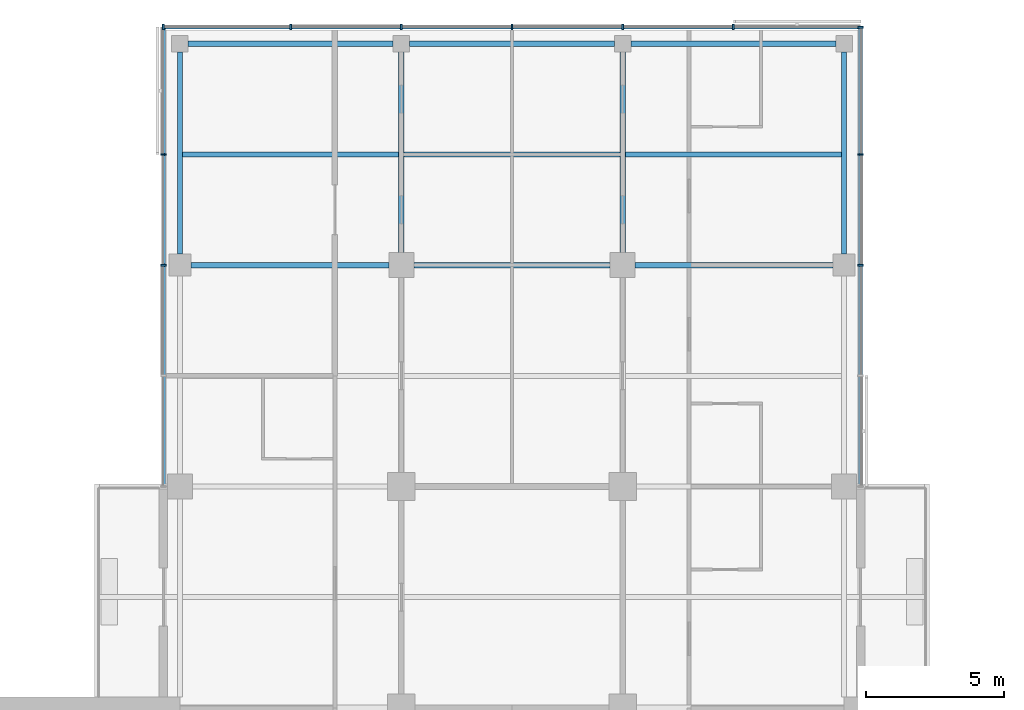
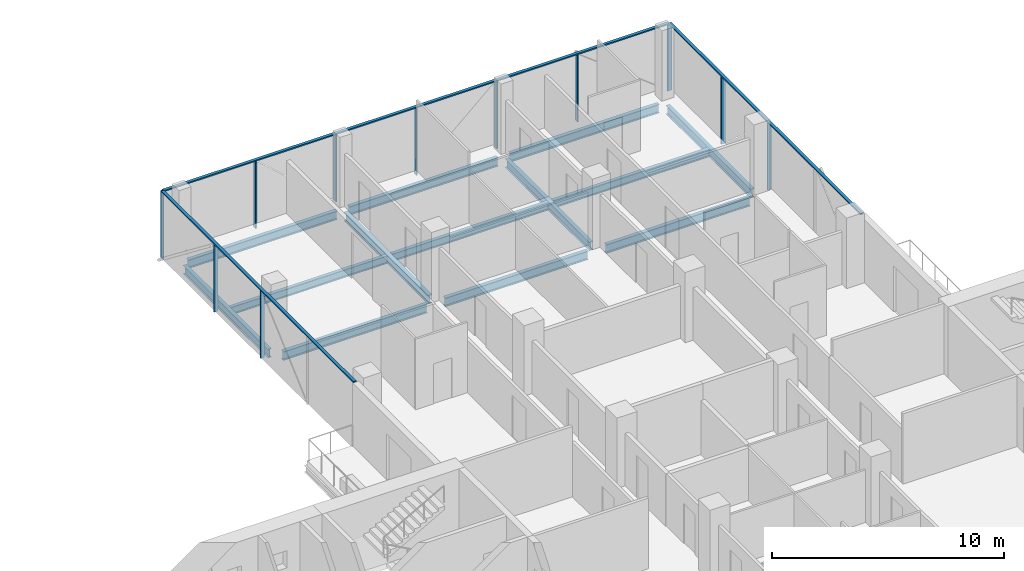
# One storey, part 12 of 27: 14 members, 13 beams, 3 elements without a shape of their own.
"""IFC4 building model written with IfcOpenShell, lengths in metres."""

from ifc_helpers import new_model, si_unit, direction, frame, origin, origin_2d, place, context, subcontext, project, spatial, rectangle, i_section, extrude, material, material_profile, profile_set, type_object, element, aggregate, save


model = new_model("IFC4")

# Units and contexts
model_context = context("Model", 3, precision=1e-05, world=origin(), true_north=direction((0.0, 1.0)))
body_context = subcontext(model_context, "Body", "Model", "MODEL_VIEW")
ifc_project = project(units=[si_unit("LENGTHUNIT", "METRE"), si_unit("AREAUNIT", "SQUARE_METRE"), si_unit("VOLUMEUNIT", "CUBIC_METRE"), si_unit("PLANEANGLEUNIT", "RADIAN"), si_unit("MASSUNIT", "GRAM", prefix="KILO")], contexts=[model_context])

# Site, building, storey
site_placement = place(None, origin())
site = spatial("IfcSite", under=ifc_project, at=site_placement, CompositionType="ELEMENT")
building_placement = place(site_placement, origin())
building = spatial("IfcBuilding", under=site, at=building_placement, Name="Crosswind Convention Tower", CompositionType="ELEMENT")
storey_placement = place(building_placement, frame((0.0, 0.0, 101.60009765625)))
storey = spatial("IfcBuildingStorey", under=building, at=storey_placement, Name="L20", CompositionType="ELEMENT", Elevation=101.60009765625)

# Beams
ifc_material_1 = material(Name="Steel S355", Category="steel")
ifc_material_profile_1 = material_profile(ifc_material_1, i_section(OverallWidth=0.1904296875, OverallDepth=0.457275390625, WebThickness=0.009033203125, FlangeThickness=0.014404296875, FilletRadius=0.01025390625, at=origin_2d()), Name="UB 457x191x75")
ifc_profile_set_1 = profile_set([ifc_material_profile_1], Name="Steel S355")
beam_type_1 = type_object("IfcBeamType", Name="Edge beam UB 457x191x75", PredefinedType="SPANDREL", material=ifc_profile_set_1)
beam_1_placement = place(storey_placement, frame((113.0, 128.39990234375, -0.5087890625), z_axis=(0.0, 1.0, 0.0), x_axis=(-1.0, 0.0, 0.0)))
element("IfcBeam", 1, at=beam_1_placement, inside=storey, type_object=beam_type_1, Name="B17 L20 edge beam 11", PredefinedType="SPANDREL", context=body_context, shape_type="SweptSolid", body=[
    extrude(i_section(OverallWidth=0.1904296875, OverallDepth=0.457275390625, WebThickness=0.009033203125, FlangeThickness=0.014404296875, FilletRadius=0.01025390625, at=origin_2d()), origin(), (0.0, 0.0, 1.0), 7.300048828125),
])
for number, where, z_axis, x_axis, name in (
    (2, (113.300048828125, 136.0, -0.5087890625), (1.0, 0.0, 0.0), (0.0, 1.0, 0.0), "B17 L20 edge beam 13"),
    (3, (121.300048828125, 136.0, -0.5087890625), (1.0, 0.0, 0.0), (0.0, 1.0, 0.0), "B17 L20 edge beam 15"),
    (4, (129.300048828125, 136.0, -0.5087890625), (1.0, 0.0, 0.0), (0.0, 1.0, 0.0), "B17 L20 edge beam 17"),
):
    element("IfcBeam", number, at=place(storey_placement, frame(where, z_axis=z_axis, x_axis=x_axis)), inside=storey, type_object=beam_type_1, Name=name, PredefinedType="SPANDREL", context=body_context, shape_type="SweptSolid", body=[
        extrude(i_section(OverallWidth=0.1904296875, OverallDepth=0.457275390625, WebThickness=0.009033203125, FlangeThickness=0.014404296875, FilletRadius=0.01025390625, at=origin_2d()), origin(), (0.0, 0.0, 1.0), 7.39990234375),
    ])
beam_2_placement = place(storey_placement, frame((137.0, 128.39990234375, -0.5087890625), z_axis=(0.0, 1.0, 0.0), x_axis=(-1.0, 0.0, 0.0)))
element("IfcBeam", 5, at=beam_2_placement, inside=storey, type_object=beam_type_1, Name="B17 L20 edge beam 23", PredefinedType="SPANDREL", context=body_context, shape_type="SweptSolid", body=[
    extrude(i_section(OverallWidth=0.1904296875, OverallDepth=0.457275390625, WebThickness=0.009033203125, FlangeThickness=0.014404296875, FilletRadius=0.01025390625, at=origin_2d()), origin(), (0.0, 0.0, 1.0), 7.300048828125),
])
ifc_material_profile_2 = material_profile(ifc_material_1, i_section(OverallWidth=0.19140625, OverallDepth=0.460205078125, WebThickness=0.010009765625, FlangeThickness=0.01611328125, FilletRadius=0.01025390625, at=origin_2d()), Name="UB 457x191x82")
ifc_profile_set_2 = profile_set([ifc_material_profile_2], Name="Steel S355")
beam_type_2 = type_object("IfcBeamType", Name="Girder UB 457x191x82", PredefinedType="BEAM", material=ifc_profile_set_2)
beam_3_placement = place(storey_placement, frame((113.39990234375, 128.0, -0.51025390625), z_axis=(1.0, 0.0, 0.0), x_axis=(0.0, 1.0, 0.0)))
element("IfcBeam", 6, at=beam_3_placement, inside=storey, type_object=beam_type_2, Name="B3 L20 girder 2", PredefinedType="BEAM", context=body_context, shape_type="SweptSolid", body=[
    extrude(i_section(OverallWidth=0.19140625, OverallDepth=0.460205078125, WebThickness=0.010009765625, FlangeThickness=0.01611328125, FilletRadius=0.01025390625, at=origin_2d()), origin(), (0.0, 0.0, 1.0), 7.150146484375),
])
beam_4_placement = place(storey_placement, frame((121.0, 128.449951171875, -0.51025390625), z_axis=(0.0, 1.0, 0.0), x_axis=(-1.0, 0.0, 0.0)))
element("IfcBeam", 7, at=beam_4_placement, inside=storey, type_object=beam_type_2, Name="B3 L20 girder 13", PredefinedType="BEAM", context=body_context, shape_type="SweptSolid", body=[
    extrude(i_section(OverallWidth=0.19140625, OverallDepth=0.460205078125, WebThickness=0.010009765625, FlangeThickness=0.01611328125, FilletRadius=0.01025390625, at=origin_2d()), origin(), (0.0, 0.0, 1.0), 7.25),
])
beam_5_placement = place(storey_placement, frame((121.449951171875, 128.0, -0.51025390625), z_axis=(1.0, 0.0, 0.0), x_axis=(0.0, 1.0, 0.0)))
element("IfcBeam", 8, at=beam_5_placement, inside=storey, type_object=beam_type_2, Name="B3 L20 girder 15", PredefinedType="BEAM", context=body_context, shape_type="SweptSolid", body=[
    extrude(i_section(OverallWidth=0.19140625, OverallDepth=0.460205078125, WebThickness=0.010009765625, FlangeThickness=0.01611328125, FilletRadius=0.01025390625, at=origin_2d()), origin(), (0.0, 0.0, 1.0), 7.10009765625),
])
beam_6_placement = place(storey_placement, frame((129.0, 128.449951171875, -0.51025390625), z_axis=(0.0, 1.0, 0.0), x_axis=(-1.0, 0.0, 0.0)))
element("IfcBeam", 9, at=beam_6_placement, inside=storey, type_object=beam_type_2, Name="B3 L20 girder 30", PredefinedType="BEAM", context=body_context, shape_type="SweptSolid", body=[
    extrude(i_section(OverallWidth=0.19140625, OverallDepth=0.460205078125, WebThickness=0.010009765625, FlangeThickness=0.01611328125, FilletRadius=0.01025390625, at=origin_2d()), origin(), (0.0, 0.0, 1.0), 7.25),
])
beam_7_placement = place(storey_placement, frame((129.449951171875, 128.0, -0.51025390625), z_axis=(1.0, 0.0, 0.0), x_axis=(0.0, 1.0, 0.0)))
element("IfcBeam", 10, at=beam_7_placement, inside=storey, type_object=beam_type_2, Name="B3 L20 girder 32", PredefinedType="BEAM", context=body_context, shape_type="SweptSolid", body=[
    extrude(i_section(OverallWidth=0.19140625, OverallDepth=0.460205078125, WebThickness=0.010009765625, FlangeThickness=0.01611328125, FilletRadius=0.01025390625, at=origin_2d()), origin(), (0.0, 0.0, 1.0), 7.150146484375),
])

# Curtain wall, members
ifc_material_2 = material(Name="Aluminium unitised curtain wall", Category="aluminium")
curtain_wall_type = type_object("IfcCurtainWallType", Name="HOTEL UNITISED WALL 200", PredefinedType="USERDEFINED", material=ifc_material_2)
curtain_wall_1_placement = place(storey_placement, origin())
curtain_wall_1 = element("IfcCurtainWall", 11, at=curtain_wall_1_placement, inside=storey, type_object=curtain_wall_type, Name="CW2 L20 N-E 1", ObjectType="UNITISED", PredefinedType="USERDEFINED")
ifc_material_3 = material(Name="Aluminium mullion", Category="aluminium")
ifc_material_profile_3 = material_profile(ifc_material_3, rectangle(XDim=0.199951171875, YDim=0.06494140625, at=origin_2d()), Name="AL 200X65")
ifc_profile_set_3 = profile_set([ifc_material_profile_3], Name="Aluminium mullion")
member_type_1 = type_object("IfcMemberType", Name="MULLION 65X200", PredefinedType="MULLION", material=ifc_profile_set_3)
member_1_placement = place(storey_placement, frame((137.60009765625, 128.0, -0.280029296875), z_axis=(0.0, 0.0, 1.0), x_axis=(1.0, 0.0, 0.0)))
member_1 = element("IfcMember", 12, at=member_1_placement, type_object=member_type_1, Name="CW2 mullion 3", PredefinedType="MULLION", context=body_context, shape_type="SweptSolid", body=[
    extrude(rectangle(XDim=0.199951171875, YDim=0.06494140625, at=origin_2d()), origin(), (0.0, 0.0, 1.0), 3.514892578125),
])
member_2_placement = place(storey_placement, frame((137.60009765625, 132.0, -0.280029296875), z_axis=(0.0, 0.0, 1.0), x_axis=(1.0, 0.0, 0.0)))
member_2 = element("IfcMember", 13, at=member_2_placement, type_object=member_type_1, Name="CW2 mullion 4", PredefinedType="MULLION", context=body_context, shape_type="SweptSolid", body=[
    extrude(rectangle(XDim=0.199951171875, YDim=0.06494140625, at=origin_2d()), origin(), (0.0, 0.0, 1.0), 3.514892578125),
])
member_3_placement = place(storey_placement, frame((137.60009765625, 136.60009765625, -0.280029296875), z_axis=(0.0, 0.0, 1.0), x_axis=(1.0, 0.0, 0.0)))
member_3 = element("IfcMember", 14, at=member_3_placement, type_object=member_type_1, Name="CW2 mullion 5", PredefinedType="MULLION", context=body_context, shape_type="SweptSolid", body=[
    extrude(rectangle(XDim=0.199951171875, YDim=0.06494140625, at=origin_2d()), origin(), (0.0, 0.0, 1.0), 3.514892578125),
])

curtain_wall_2_placement = place(storey_placement, origin())
curtain_wall_2 = element("IfcCurtainWall", 15, at=curtain_wall_2_placement, inside=storey, type_object=curtain_wall_type, Name="CW2 L20 N-TIP 1", ObjectType="UNITISED", PredefinedType="USERDEFINED")
member_4_placement = place(storey_placement, frame((133.0, 136.60009765625, -0.280029296875), z_axis=(0.0, 0.0, 1.0), x_axis=(0.0, 1.0, 0.0)))
member_4 = element("IfcMember", 16, at=member_4_placement, type_object=member_type_1, Name="CW2 mullion 2", PredefinedType="MULLION", context=body_context, shape_type="SweptSolid", body=[
    extrude(rectangle(XDim=0.199951171875, YDim=0.06494140625, at=origin_2d()), origin(), (0.0, 0.0, 1.0), 3.514892578125),
])
member_5_placement = place(storey_placement, frame((129.0, 136.60009765625, -0.280029296875), z_axis=(0.0, 0.0, 1.0), x_axis=(0.0, 1.0, 0.0)))
member_5 = element("IfcMember", 17, at=member_5_placement, type_object=member_type_1, Name="CW2 mullion 3", PredefinedType="MULLION", context=body_context, shape_type="SweptSolid", body=[
    extrude(rectangle(XDim=0.199951171875, YDim=0.06494140625, at=origin_2d()), origin(), (0.0, 0.0, 1.0), 3.514892578125),
])
member_6_placement = place(storey_placement, frame((125.0, 136.60009765625, -0.280029296875), z_axis=(0.0, 0.0, 1.0), x_axis=(0.0, 1.0, 0.0)))
member_6 = element("IfcMember", 18, at=member_6_placement, type_object=member_type_1, Name="CW2 mullion 4", PredefinedType="MULLION", context=body_context, shape_type="SweptSolid", body=[
    extrude(rectangle(XDim=0.199951171875, YDim=0.06494140625, at=origin_2d()), origin(), (0.0, 0.0, 1.0), 3.514892578125),
])
member_7_placement = place(storey_placement, frame((121.0, 136.60009765625, -0.280029296875), z_axis=(0.0, 0.0, 1.0), x_axis=(0.0, 1.0, 0.0)))
member_7 = element("IfcMember", 19, at=member_7_placement, type_object=member_type_1, Name="CW2 mullion 5", PredefinedType="MULLION", context=body_context, shape_type="SweptSolid", body=[
    extrude(rectangle(XDim=0.199951171875, YDim=0.06494140625, at=origin_2d()), origin(), (0.0, 0.0, 1.0), 3.514892578125),
])
member_8_placement = place(storey_placement, frame((117.0, 136.60009765625, -0.280029296875), z_axis=(0.0, 0.0, 1.0), x_axis=(0.0, 1.0, 0.0)))
member_8 = element("IfcMember", 20, at=member_8_placement, type_object=member_type_1, Name="CW2 mullion 6", PredefinedType="MULLION", context=body_context, shape_type="SweptSolid", body=[
    extrude(rectangle(XDim=0.199951171875, YDim=0.06494140625, at=origin_2d()), origin(), (0.0, 0.0, 1.0), 3.514892578125),
])
member_9_placement = place(storey_placement, frame((112.39990234375, 136.60009765625, -0.280029296875), z_axis=(0.0, 0.0, 1.0), x_axis=(0.0, 1.0, 0.0)))
member_9 = element("IfcMember", 21, at=member_9_placement, type_object=member_type_1, Name="CW2 mullion 7", PredefinedType="MULLION", context=body_context, shape_type="SweptSolid", body=[
    extrude(rectangle(XDim=0.199951171875, YDim=0.06494140625, at=origin_2d()), origin(), (0.0, 0.0, 1.0), 3.514892578125),
])

curtain_wall_3_placement = place(storey_placement, origin())
curtain_wall_3 = element("IfcCurtainWall", 22, at=curtain_wall_3_placement, inside=storey, type_object=curtain_wall_type, Name="CW2 L20 N-W 1", ObjectType="UNITISED", PredefinedType="USERDEFINED")
member_10_placement = place(storey_placement, frame((112.39990234375, 132.0, -0.280029296875), z_axis=(0.0, 0.0, 1.0), x_axis=(-1.0, 0.0, 0.0)))
member_10 = element("IfcMember", 23, at=member_10_placement, type_object=member_type_1, Name="CW2 mullion 2", PredefinedType="MULLION", context=body_context, shape_type="SweptSolid", body=[
    extrude(rectangle(XDim=0.199951171875, YDim=0.06494140625, at=origin_2d()), origin(), (0.0, 0.0, 1.0), 3.514892578125),
])
member_11_placement = place(storey_placement, frame((112.39990234375, 128.0, -0.280029296875), z_axis=(0.0, 0.0, 1.0), x_axis=(-1.0, 0.0, 0.0)))
member_11 = element("IfcMember", 24, at=member_11_placement, type_object=member_type_1, Name="CW2 mullion 3", PredefinedType="MULLION", context=body_context, shape_type="SweptSolid", body=[
    extrude(rectangle(XDim=0.199951171875, YDim=0.06494140625, at=origin_2d()), origin(), (0.0, 0.0, 1.0), 3.514892578125),
])

# Beams
ifc_material_profile_4 = material_profile(ifc_material_1, i_section(OverallWidth=0.177734375, OverallDepth=0.406494140625, WebThickness=0.0078125, FlangeThickness=0.0126953125, FilletRadius=0.01025390625, at=origin_2d()), Name="UB 406x178x60")
ifc_profile_set_4 = profile_set([ifc_material_profile_4], Name="Steel S355")
beam_type_3 = type_object("IfcBeamType", Name="Secondary beam UB 406x178x60", PredefinedType="JOIST", material=ifc_profile_set_4)
beam_8_placement = place(storey_placement, frame((113.09521484375, 132.0, -0.4833984375), z_axis=(1.0, 0.0, 0.0), x_axis=(0.0, 1.0, 0.0)))
element("IfcBeam", 25, at=beam_8_placement, inside=storey, type_object=beam_type_3, Name="B10 L20 secondary beam 12", PredefinedType="JOIST", context=body_context, shape_type="SweptSolid", body=[
    extrude(i_section(OverallWidth=0.177734375, OverallDepth=0.406494140625, WebThickness=0.0078125, FlangeThickness=0.0126953125, FilletRadius=0.01025390625, at=origin_2d()), origin(), (0.0, 0.0, 1.0), 7.80908203125),
])
beam_9_placement = place(storey_placement, frame((121.095703125, 132.0, -0.4833984375), z_axis=(1.0, 0.0, 0.0), x_axis=(0.0, 1.0, 0.0)))
element("IfcBeam", 26, at=beam_9_placement, inside=storey, type_object=beam_type_3, Name="B10 L20 secondary beam 21", PredefinedType="JOIST", context=body_context, shape_type="SweptSolid", body=[
    extrude(i_section(OverallWidth=0.177734375, OverallDepth=0.406494140625, WebThickness=0.0078125, FlangeThickness=0.0126953125, FilletRadius=0.01025390625, at=origin_2d()), origin(), (0.0, 0.0, 1.0), 7.80859375),
])
beam_10_placement = place(storey_placement, frame((129.095703125, 132.0, -0.4833984375), z_axis=(1.0, 0.0, 0.0), x_axis=(0.0, 1.0, 0.0)))
element("IfcBeam", 27, at=beam_10_placement, inside=storey, type_object=beam_type_3, Name="B10 L20 secondary beam 30", PredefinedType="JOIST", context=body_context, shape_type="SweptSolid", body=[
    extrude(i_section(OverallWidth=0.177734375, OverallDepth=0.406494140625, WebThickness=0.0078125, FlangeThickness=0.0126953125, FilletRadius=0.01025390625, at=origin_2d()), origin(), (0.0, 0.0, 1.0), 7.80908203125),
])

# Member
ifc_material_4 = material(Name="Aluminium transom", Category="aluminium")
ifc_material_profile_5 = material_profile(ifc_material_4, rectangle(XDim=0.14990234375, YDim=0.06494140625, at=origin_2d()), Name="AL 150X65")
ifc_profile_set_5 = profile_set([ifc_material_profile_5], Name="Aluminium transom")
member_type_2 = type_object("IfcMemberType", Name="TRANSOM 65X150", PredefinedType="USERDEFINED", material=ifc_profile_set_5)
member_12_placement = place(storey_placement, frame((137.60009765625, 120.032470703125, 3.267333984375), z_axis=(0.0, 1.0, 0.0), x_axis=(-1.0, 0.0, 0.0)))
member_12 = element("IfcMember", 28, at=member_12_placement, type_object=member_type_2, Name="CW2 transom", ObjectType="TRANSOM", PredefinedType="USERDEFINED", context=body_context, shape_type="SweptSolid", body=[
    extrude(rectangle(XDim=0.14990234375, YDim=0.06494140625, at=origin_2d()), origin(), (0.0, 0.0, 1.0), 16.534912109375),
])

aggregate(curtain_wall_1, [member_1, member_2, member_3, member_12])

member_13_placement = place(storey_placement, frame((137.5673828125, 136.60009765625, 3.267333984375), z_axis=(-1.0, 0.0, 0.0), x_axis=(0.0, -1.0, 0.0)))
member_13 = element("IfcMember", 29, at=member_13_placement, type_object=member_type_2, Name="CW2 transom", ObjectType="TRANSOM", PredefinedType="USERDEFINED", context=body_context, shape_type="SweptSolid", body=[
    extrude(rectangle(XDim=0.14990234375, YDim=0.06494140625, at=origin_2d()), origin(), (0.0, 0.0, 1.0), 25.134765625),
])

aggregate(curtain_wall_2, [member_4, member_5, member_6, member_7, member_8, member_9, member_13])

member_14_placement = place(storey_placement, frame((112.39990234375, 136.5673828125, 3.267333984375), z_axis=(0.0, -1.0, 0.0), x_axis=(1.0, 0.0, 0.0)))
member_14 = element("IfcMember", 30, at=member_14_placement, type_object=member_type_2, Name="CW2 transom", ObjectType="TRANSOM", PredefinedType="USERDEFINED", context=body_context, shape_type="SweptSolid", body=[
    extrude(rectangle(XDim=0.14990234375, YDim=0.06494140625, at=origin_2d()), origin(), (0.0, 0.0, 1.0), 16.534912109375),
])

aggregate(curtain_wall_3, [member_10, member_11, member_14])

save(model, "model.ifc")
